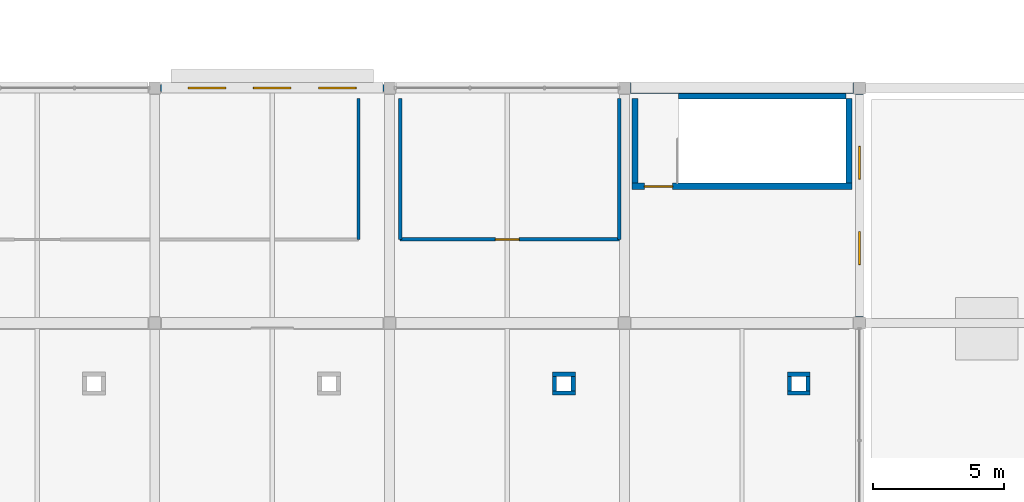
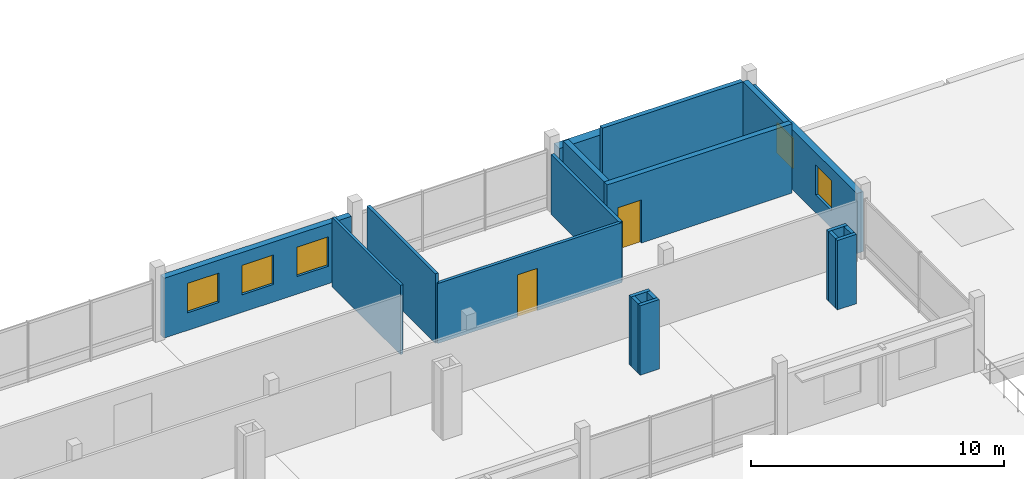
# One storey, part 154 of 163: 19 walls, 5 windows, 2 doors, 7 openings.
"""IFC4 building model written with IfcOpenShell, lengths in metres."""

from ifc_helpers import new_model, si_unit, direction, frame, frame_2d, origin, place, context, subcontext, project, spatial, rectangle, extrude, material, layer, layer_set, type_object, element, fill, save


model = new_model("IFC4")

# Units and contexts
model_context = context("Model", 3, precision=1e-05, world=origin(), true_north=direction((0.0, 1.0)))
body_context = subcontext(model_context, "Body", "Model", "MODEL_VIEW")
ifc_project = project(units=[si_unit("LENGTHUNIT", "METRE"), si_unit("AREAUNIT", "SQUARE_METRE"), si_unit("VOLUMEUNIT", "CUBIC_METRE"), si_unit("PLANEANGLEUNIT", "RADIAN"), si_unit("MASSUNIT", "GRAM", prefix="KILO")], contexts=[model_context])

# Site, building, storey
site_placement = place(None, origin())
site = spatial("IfcSite", under=ifc_project, at=site_placement, CompositionType="ELEMENT")
building_placement = place(site_placement, origin())
building = spatial("IfcBuilding", under=site, at=building_placement, Name="Tharagai Park Tramway Depot", CompositionType="ELEMENT")
storey_placement = place(building_placement, frame((0.0, 0.0, 8.39990234375)))
storey = spatial("IfcBuildingStorey", under=building, at=storey_placement, Name="L02", CompositionType="ELEMENT", Elevation=8.39990234375)

# Wall, openings, windows
ifc_material_1 = material(Name="Pressed clay brick", Category="masonry")
ifc_layer_1 = layer(ifc_material_1, 0.280029296875)
ifc_layer_set_1 = layer_set([ifc_layer_1], Name="Pressed clay brick")
wall_type_1 = type_object("IfcWallType", Name="EW-02", PredefinedType="SOLIDWALL", material=ifc_layer_set_1)
wall_1_placement = place(storey_placement, frame((162.222900390625, 27.0, 0.0), z_axis=(0.0, 0.0, 1.0), x_axis=(1.0, 0.0, 0.0)))
wall_1 = element("IfcWall", 1, at=wall_1_placement, inside=storey, type_object=wall_type_1, Name="L02 V5 Exterior Masonry Wall EW-02", PredefinedType="SOLIDWALL", context=body_context, shape_type="SweptSolid", body=[
    extrude(rectangle(XDim=8.55419921875, YDim=0.280029296875, at=frame_2d((4.277099609375, 0.0))), origin(), (0.0, 0.0, 1.0), 2.89208984375),
])
opening_1_placement = place(wall_1_placement, frame((1.05810546875, 0.0, 0.85009765625)))
opening_1 = element("IfcOpeningElement", 2, at=opening_1_placement, cuts=wall_1, Name="Opening WN-25", PredefinedType="OPENING", context=body_context, shape_type="SweptSolid", body=[
    extrude(rectangle(XDim=1.43994140625, YDim=1.419921875, at=frame_2d((0.719970703125, 0.7099609375))), frame((0.0, 0.14990234375, 0.0), z_axis=(0.0, -1.0, 0.0), x_axis=(1.0, 0.0, 0.0)), (0.0, 0.0, 1.0), 0.300048828125),
])
opening_2_placement = place(wall_1_placement, frame((3.556884765625, 0.0, 0.85009765625)))
opening_2 = element("IfcOpeningElement", 3, at=opening_2_placement, cuts=wall_1, Name="Opening WN-25", PredefinedType="OPENING", context=body_context, shape_type="SweptSolid", body=[
    extrude(rectangle(XDim=1.43994140625, YDim=1.419921875, at=frame_2d((0.719970703125, 0.7099609375))), frame((0.0, 0.14990234375, 0.0), z_axis=(0.0, -1.0, 0.0), x_axis=(1.0, 0.0, 0.0)), (0.0, 0.0, 1.0), 0.300048828125),
])
opening_3_placement = place(wall_1_placement, frame((6.054931640625, 0.0, 0.85009765625)))
opening_3 = element("IfcOpeningElement", 4, at=opening_3_placement, cuts=wall_1, Name="Opening WN-25", PredefinedType="OPENING", context=body_context, shape_type="SweptSolid", body=[
    extrude(rectangle(XDim=1.43994140625, YDim=1.419921875, at=frame_2d((0.719970703125, 0.7099609375))), frame((0.0, 0.14990234375, 0.0), z_axis=(0.0, -1.0, 0.0), x_axis=(1.0, 0.0, 0.0)), (0.0, 0.0, 1.0), 0.300048828125),
])
ifc_material_2 = material(Name="Laminated solar-control glass", Category="glass")
window_type_1 = type_object("IfcWindowType", Name="WN-25", PartitioningType="SINGLE_PANEL", PredefinedType="WINDOW", material=ifc_material_2)
window_1_placement = place(opening_1_placement, origin())
window_1 = element("IfcWindow", 5, at=window_1_placement, inside=storey, type_object=window_type_1, Name="L02 V5 Gothic Lancet Window WN-25", OverallHeight=1.419921875, OverallWidth=1.43994140625, PartitioningType="SINGLE_PANEL", PredefinedType="WINDOW", context=body_context, shape_type="SweptSolid", body=[
    extrude(rectangle(XDim=1.43994140625, YDim=1.419921875, at=frame_2d((0.719970703125, 0.7099609375))), frame((0.0, 0.030029296875, 0.0), z_axis=(0.0, -1.0, 0.0), x_axis=(1.0, 0.0, 0.0)), (0.0, 0.0, 1.0), 0.06005859375),
])
fill(opening_1, window_1)
window_2_placement = place(opening_2_placement, origin())
window_2 = element("IfcWindow", 6, at=window_2_placement, inside=storey, type_object=window_type_1, Name="L02 V5 Gothic Lancet Window WN-25", OverallHeight=1.419921875, OverallWidth=1.43994140625, PartitioningType="SINGLE_PANEL", PredefinedType="WINDOW", context=body_context, shape_type="SweptSolid", body=[
    extrude(rectangle(XDim=1.43994140625, YDim=1.419921875, at=frame_2d((0.719970703125, 0.7099609375))), frame((0.0, 0.030029296875, 0.0), z_axis=(0.0, -1.0, 0.0), x_axis=(1.0, 0.0, 0.0)), (0.0, 0.0, 1.0), 0.06005859375),
])
fill(opening_2, window_2)
window_3_placement = place(opening_3_placement, origin())
window_3 = element("IfcWindow", 7, at=window_3_placement, inside=storey, type_object=window_type_1, Name="L02 V5 Gothic Lancet Window WN-25", OverallHeight=1.419921875, OverallWidth=1.43994140625, PartitioningType="SINGLE_PANEL", PredefinedType="WINDOW", context=body_context, shape_type="SweptSolid", body=[
    extrude(rectangle(XDim=1.43994140625, YDim=1.419921875, at=frame_2d((0.719970703125, 0.7099609375))), frame((0.0, 0.030029296875, 0.0), z_axis=(0.0, -1.0, 0.0), x_axis=(1.0, 0.0, 0.0)), (0.0, 0.0, 1.0), 0.06005859375),
])
fill(opening_3, window_3)

# Wall
ifc_material_3 = material(Name="Charnockite stone", Category="masonry")
ifc_layer_2 = layer(ifc_material_3, 0.419921875)
ifc_layer_set_2 = layer_set([ifc_layer_2], Name="Charnockite stone")
wall_type_2 = type_object("IfcWallType", Name="EW-07", PredefinedType="SOLIDWALL", material=ifc_layer_set_2)
wall_2_placement = place(storey_placement, frame((180.222900390625, 27.0, 0.0), z_axis=(0.0, 0.0, 1.0), x_axis=(1.0, 0.0, 0.0)))
element("IfcWall", 8, at=wall_2_placement, inside=storey, type_object=wall_type_2, Name="L02 V5 Exterior Masonry Wall EW-07", PredefinedType="SOLIDWALL", context=body_context, shape_type="SweptSolid", body=[
    extrude(rectangle(XDim=8.55419921875, YDim=0.419921875, at=frame_2d((4.277099609375, 0.0))), origin(), (0.0, 0.0, 1.0), 2.89208984375),
])

# Wall, openings, windows
ifc_layer_3 = layer(ifc_material_1, 0.300048828125)
ifc_layer_set_3 = layer_set([ifc_layer_3], Name="Pressed clay brick")
wall_type_3 = type_object("IfcWallType", Name="EW-08", PredefinedType="SOLIDWALL", material=ifc_layer_set_3)
wall_3_placement = place(storey_placement, frame((189.0, 18.222900390625, 0.0), z_axis=(0.0, 0.0, 1.0), x_axis=(0.0, 1.0, 0.0)))
wall_3 = element("IfcWall", 9, at=wall_3_placement, inside=storey, type_object=wall_type_3, Name="L02 V5 Exterior Masonry Wall EW-08", PredefinedType="SOLIDWALL", context=body_context, shape_type="SweptSolid", body=[
    extrude(rectangle(XDim=8.55419921875, YDim=0.300048828125, at=frame_2d((4.277099609375, 0.0))), origin(), (0.0, 0.0, 1.0), 2.89208984375),
])
opening_4_placement = place(wall_3_placement, frame((2.010986328125, 0.0, 0.85009765625)))
opening_4 = element("IfcOpeningElement", 10, at=opening_4_placement, cuts=wall_3, Name="Opening WN-09", PredefinedType="OPENING", context=body_context, shape_type="SweptSolid", body=[
    extrude(rectangle(XDim=1.260009765625, YDim=1.4599609375, at=frame_2d((0.6298828125, 0.72998046875))), frame((0.0, 0.159912109375, 0.0), z_axis=(0.0, -1.0, 0.0), x_axis=(1.0, 0.0, 0.0)), (0.0, 0.0, 1.0), 0.320068359375),
])
opening_5_placement = place(wall_3_placement, frame((5.282958984375, 0.0, 0.85009765625)))
opening_5 = element("IfcOpeningElement", 11, at=opening_5_placement, cuts=wall_3, Name="Opening WN-09", PredefinedType="OPENING", context=body_context, shape_type="SweptSolid", body=[
    extrude(rectangle(XDim=1.260009765625, YDim=1.4599609375, at=frame_2d((0.6298828125, 0.72998046875))), frame((0.0, 0.159912109375, 0.0), z_axis=(0.0, -1.0, 0.0), x_axis=(1.0, 0.0, 0.0)), (0.0, 0.0, 1.0), 0.320068359375),
])
window_type_2 = type_object("IfcWindowType", Name="WN-09", PartitioningType="SINGLE_PANEL", PredefinedType="WINDOW", material=ifc_material_2)
window_4_placement = place(opening_4_placement, origin())
window_4 = element("IfcWindow", 12, at=window_4_placement, inside=storey, type_object=window_type_2, Name="L02 V5 Side Lancet Window WN-09", OverallHeight=1.4599609375, OverallWidth=1.260009765625, PartitioningType="SINGLE_PANEL", PredefinedType="WINDOW", context=body_context, shape_type="SweptSolid", body=[
    extrude(rectangle(XDim=1.260009765625, YDim=1.4599609375, at=frame_2d((0.6298828125, 0.72998046875))), frame((0.0, 0.030029296875, 0.0), z_axis=(0.0, -1.0, 0.0), x_axis=(1.0, 0.0, 0.0)), (0.0, 0.0, 1.0), 0.06005859375),
])
fill(opening_4, window_4)
window_5_placement = place(opening_5_placement, origin())
window_5 = element("IfcWindow", 13, at=window_5_placement, inside=storey, type_object=window_type_2, Name="L02 V5 Side Lancet Window WN-09", OverallHeight=1.4599609375, OverallWidth=1.260009765625, PartitioningType="SINGLE_PANEL", PredefinedType="WINDOW", context=body_context, shape_type="SweptSolid", body=[
    extrude(rectangle(XDim=1.260009765625, YDim=1.4599609375, at=frame_2d((0.6298828125, 0.72998046875))), frame((0.0, 0.030029296875, 0.0), z_axis=(0.0, -1.0, 0.0), x_axis=(1.0, 0.0, 0.0)), (0.0, 0.0, 1.0), 0.06005859375),
])
fill(opening_5, window_5)

# Wall, opening, door
ifc_layer_4 = layer(ifc_material_1, 0.139892578125)
ifc_layer_set_4 = layer_set([ifc_layer_4], Name="Pressed clay brick")
wall_type_4 = type_object("IfcWallType", Name="IW-01", PredefinedType="PARTITIONING", material=ifc_layer_set_4)
wall_4_placement = place(storey_placement, frame((171.39990234375, 21.199951171875, 0.0), z_axis=(0.0, 0.0, 1.0), x_axis=(1.0, 0.0, 0.0)))
wall_4 = element("IfcWall", 14, at=wall_4_placement, inside=storey, type_object=wall_type_4, Name="Studio Accessible WC Partition South", PredefinedType="PARTITIONING", context=body_context, shape_type="SweptSolid", body=[
    extrude(rectangle(XDim=8.400146484375, YDim=0.139892578125, at=frame_2d((4.2001953125, 0.0))), origin(), (0.0, 0.0, 1.0), 2.89501953125),
])
opening_6_placement = place(wall_4_placement, frame((3.64501953125, 0.0, 0.0)))
opening_6 = element("IfcOpeningElement", 15, at=opening_6_placement, cuts=wall_4, Name="Opening ID-08", PredefinedType="OPENING", context=body_context, shape_type="SweptSolid", body=[
    extrude(rectangle(XDim=0.909912109375, YDim=2.0400390625, at=frame_2d((0.455078125, 1.02001953125))), frame((0.0, 0.079833984375, 0.0), z_axis=(0.0, -1.0, 0.0), x_axis=(1.0, 0.0, 0.0)), (0.0, 0.0, 1.0), 0.159912109375),
])
ifc_material_4 = material(Name="Pressed timber", Category="wood")
door_type_1 = type_object("IfcDoorType", Name="ID-08", OperationType="NOTDEFINED", PredefinedType="DOOR", material=ifc_material_4)
door_1_placement = place(opening_6_placement, frame((0.909912109375, 0.0, 0.0), z_axis=(0.0, 0.0, 1.0), x_axis=(-1.0, 0.0, 0.0)))
door_1 = element("IfcDoor", 16, at=door_1_placement, inside=storey, type_object=door_type_1, Name="Studio Accessible WC Door", OperationType="SINGLE_SWING_RIGHT", OverallHeight=2.0400390625, OverallWidth=0.909912109375, PredefinedType="DOOR", context=body_context, shape_type="SweptSolid", body=[
    extrude(rectangle(XDim=0.909912109375, YDim=2.0400390625, at=frame_2d((0.455078125, 1.02001953125))), frame((0.0, 0.02490234375, 0.0), z_axis=(0.0, -1.0, 0.0), x_axis=(1.0, 0.0, 0.0)), (0.0, 0.0, 1.0), 0.050048828125),
])
fill(opening_6, door_1)

# Walls
wall_5_placement = place(storey_placement, frame((171.39990234375, 21.199951171875, 0.0), z_axis=(0.0, 0.0, 1.0), x_axis=(0.0, 1.0, 0.0)))
element("IfcWall", 17, at=wall_5_placement, inside=storey, type_object=wall_type_4, Name="Studio Accessible WC Partition West", PredefinedType="PARTITIONING", context=body_context, shape_type="SweptSolid", body=[
    extrude(rectangle(XDim=5.400146484375, YDim=0.139892578125, at=frame_2d((2.7001953125, 0.0))), origin(), (0.0, 0.0, 1.0), 3.35009765625),
])
wall_6_placement = place(storey_placement, frame((179.800048828125, 21.199951171875, 0.0), z_axis=(0.0, 0.0, 1.0), x_axis=(0.0, 1.0, 0.0)))
element("IfcWall", 18, at=wall_6_placement, inside=storey, type_object=wall_type_4, Name="Studio Accessible WC Partition East", PredefinedType="PARTITIONING", context=body_context, shape_type="SweptSolid", body=[
    extrude(rectangle(XDim=5.400146484375, YDim=0.139892578125, at=frame_2d((2.7001953125, 0.0))), origin(), (0.0, 0.0, 1.0), 2.89501953125),
])
ifc_layer_5 = layer(ifc_material_1, 0.159912109375)
ifc_layer_set_5 = layer_set([ifc_layer_5], Name="Pressed clay brick")
wall_type_5 = type_object("IfcWallType", Name="IW-02", PredefinedType="PARTITIONING", material=ifc_layer_set_5)
for number, where, z_axis, x_axis, name in (
    (19, (177.239990234375, 15.320068359375, 0.0), (0.0, 0.0, 1.0), (1.0, 0.0, 0.0), "L02 Pipe Riser Enclosure Wall 50 S"),
    (20, (177.239990234375, 16.030029296875, 0.0), (0.0, 0.0, 1.0), (1.0, 0.0, 0.0), "L02 Pipe Riser Enclosure Wall 50 N"),
):
    element("IfcWall", number, at=place(storey_placement, frame(where, z_axis=z_axis, x_axis=x_axis)), inside=storey, type_object=wall_type_5, Name=name, PredefinedType="PARTITIONING", context=body_context, shape_type="SweptSolid", body=[
        extrude(rectangle(XDim=0.8701171875, YDim=0.159912109375, at=frame_2d((0.43505859375, 0.0))), origin(), (0.0, 0.0, 1.0), 3.35009765625),
    ])
for number, where, z_axis, x_axis, name in (
    (21, (177.320068359375, 15.39990234375, 0.0), (0.0, 0.0, 1.0), (0.0, 1.0, 0.0), "L02 Pipe Riser Enclosure Wall 50 W"),
    (22, (178.030029296875, 15.39990234375, 0.0), (0.0, 0.0, 1.0), (0.0, 1.0, 0.0), "L02 Pipe Riser Enclosure Wall 50 E"),
):
    element("IfcWall", number, at=place(storey_placement, frame(where, z_axis=z_axis, x_axis=x_axis)), inside=storey, type_object=wall_type_5, Name=name, PredefinedType="PARTITIONING", context=body_context, shape_type="SweptSolid", body=[
        extrude(rectangle(XDim=0.550048828125, YDim=0.159912109375, at=frame_2d((0.27490234375, 0.0))), origin(), (0.0, 0.0, 1.0), 3.35009765625),
    ])
for number, where, z_axis, x_axis, name in (
    (23, (186.239990234375, 15.320068359375, 0.0), (0.0, 0.0, 1.0), (1.0, 0.0, 0.0), "L02 Pipe Riser Enclosure Wall 51 S"),
    (24, (186.239990234375, 16.030029296875, 0.0), (0.0, 0.0, 1.0), (1.0, 0.0, 0.0), "L02 Pipe Riser Enclosure Wall 51 N"),
):
    element("IfcWall", number, at=place(storey_placement, frame(where, z_axis=z_axis, x_axis=x_axis)), inside=storey, type_object=wall_type_5, Name=name, PredefinedType="PARTITIONING", context=body_context, shape_type="SweptSolid", body=[
        extrude(rectangle(XDim=0.8701171875, YDim=0.159912109375, at=frame_2d((0.43505859375, 0.0))), origin(), (0.0, 0.0, 1.0), 3.35009765625),
    ])
for number, where, z_axis, x_axis, name in (
    (25, (186.320068359375, 15.39990234375, 0.0), (0.0, 0.0, 1.0), (0.0, 1.0, 0.0), "L02 Pipe Riser Enclosure Wall 51 W"),
    (26, (187.030029296875, 15.39990234375, 0.0), (0.0, 0.0, 1.0), (0.0, 1.0, 0.0), "L02 Pipe Riser Enclosure Wall 51 E"),
):
    element("IfcWall", number, at=place(storey_placement, frame(where, z_axis=z_axis, x_axis=x_axis)), inside=storey, type_object=wall_type_5, Name=name, PredefinedType="PARTITIONING", context=body_context, shape_type="SweptSolid", body=[
        extrude(rectangle(XDim=0.550048828125, YDim=0.159912109375, at=frame_2d((0.27490234375, 0.0))), origin(), (0.0, 0.0, 1.0), 3.35009765625),
    ])
ifc_material_5 = material(Name="Gypsum board", Category="gypsum")
ifc_layer_6 = layer(ifc_material_5, 0.1201171875)
ifc_layer_set_6 = layer_set([ifc_layer_6], Name="Gypsum board")
wall_type_6 = type_object("IfcWallType", Name="IW-03", PredefinedType="PARTITIONING", material=ifc_layer_set_6)
wall_7_placement = place(storey_placement, frame((169.800048828125, 21.199951171875, 0.0), z_axis=(0.0, 0.0, 1.0), x_axis=(0.0, 1.0, 0.0)))
element("IfcWall", 27, at=wall_7_placement, inside=storey, type_object=wall_type_6, Name="Civic Mobility Lecture Room Partition East", PredefinedType="PARTITIONING", context=body_context, shape_type="SweptSolid", body=[
    extrude(rectangle(XDim=5.400146484375, YDim=0.1201171875, at=frame_2d((2.7001953125, 0.0))), origin(), (0.0, 0.0, 1.0), 3.35009765625),
])

# Wall, opening, door
ifc_material_6 = material(Name="Concrete M40", Category="concrete")
ifc_layer_7 = layer(ifc_material_6, 0.239990234375)
ifc_layer_set_7 = layer_set([ifc_layer_7], Name="Concrete M40")
wall_type_7 = type_object("IfcWallType", Name="SW-01", PredefinedType="SHEAR", material=ifc_layer_set_7)
wall_8_placement = place(storey_placement, frame((180.280029296875, 23.22998046875, 0.0), z_axis=(0.0, 0.0, 1.0), x_axis=(1.0, 0.0, 0.0)))
wall_8 = element("IfcWall", 28, at=wall_8_placement, inside=storey, type_object=wall_type_7, Name="Core C7 L02 Shear Wall South", PredefinedType="SHEAR", context=body_context, shape_type="SweptSolid", body=[
    extrude(rectangle(XDim=8.43994140625, YDim=0.239990234375, at=frame_2d((4.219970703125, 0.0))), origin(), (0.0, 0.0, 1.0), 3.35009765625),
])
opening_7_placement = place(wall_8_placement, frame((0.47998046875, 0.0, 0.0)))
opening_7 = element("IfcOpeningElement", 29, at=opening_7_placement, cuts=wall_8, Name="Opening ID-05", PredefinedType="OPENING", context=body_context, shape_type="SweptSolid", body=[
    extrude(rectangle(XDim=1.080078125, YDim=2.080078125, at=frame_2d((0.5400390625, 1.0400390625))), frame((0.0, 0.1298828125, 0.0), z_axis=(0.0, -1.0, 0.0), x_axis=(1.0, 0.0, 0.0)), (0.0, 0.0, 1.0), 0.260009765625),
])
ifc_material_7 = material(Name="Galvanised steel", Category="steel")
door_type_2 = type_object("IfcDoorType", Name="ID-05", OperationType="NOTDEFINED", PredefinedType="DOOR", material=ifc_material_7)
door_2_placement = place(opening_7_placement, origin())
door_2 = element("IfcDoor", 30, at=door_2_placement, inside=storey, type_object=door_type_2, Name="Stair ST-07 L02 Fire Door", OperationType="SINGLE_SWING_RIGHT", OverallHeight=2.080078125, OverallWidth=1.080078125, PredefinedType="DOOR", context=body_context, shape_type="SweptSolid", body=[
    extrude(rectangle(XDim=1.080078125, YDim=2.080078125, at=frame_2d((0.5400390625, 1.0400390625))), frame((0.0, 0.02490234375, 0.0), z_axis=(0.0, -1.0, 0.0), x_axis=(1.0, 0.0, 0.0)), (0.0, 0.0, 1.0), 0.050048828125),
])
fill(opening_7, door_2)

# Walls
for number, where, z_axis, x_axis, name in (
    (31, (180.39990234375, 23.35009765625, 0.0), (0.0, 0.0, 1.0), (0.0, 1.0, 0.0), "Core C7 L02 Shear Wall West"),
    (32, (188.60009765625, 23.35009765625, 0.0), (0.0, 0.0, 1.0), (0.0, 1.0, 0.0), "Core C7 L02 Shear Wall East"),
):
    element("IfcWall", number, at=place(storey_placement, frame(where, z_axis=z_axis, x_axis=x_axis)), inside=storey, type_object=wall_type_7, Name=name, PredefinedType="SHEAR", context=body_context, shape_type="SweptSolid", body=[
        extrude(rectangle(XDim=3.25, YDim=0.239990234375, at=frame_2d((1.625, 0.0))), origin(), (0.0, 0.0, 1.0), 3.35009765625),
    ])
ifc_layer_8 = layer(ifc_material_6, 0.199951171875)
ifc_layer_set_8 = layer_set([ifc_layer_8], Name="Concrete M40")
wall_type_8 = type_object("IfcWallType", Name="SW-02", PredefinedType="SHEAR", material=ifc_layer_set_8)
wall_9_placement = place(storey_placement, frame((182.070068359375, 26.68505859375, 0.0), z_axis=(0.0, 0.0, 1.0), x_axis=(1.0, 0.0, 0.0)))
element("IfcWall", 33, at=wall_9_placement, inside=storey, type_object=wall_type_8, Name="Core C7 L02 Shear Bearing Liner North", PredefinedType="SHEAR", context=body_context, shape_type="SweptSolid", body=[
    extrude(rectangle(XDim=6.409912109375, YDim=0.199951171875, at=frame_2d((3.205078125, 0.0))), origin(), (0.0, 0.0, 1.0), 3.35009765625),
])

save(model, "model.ifc")
